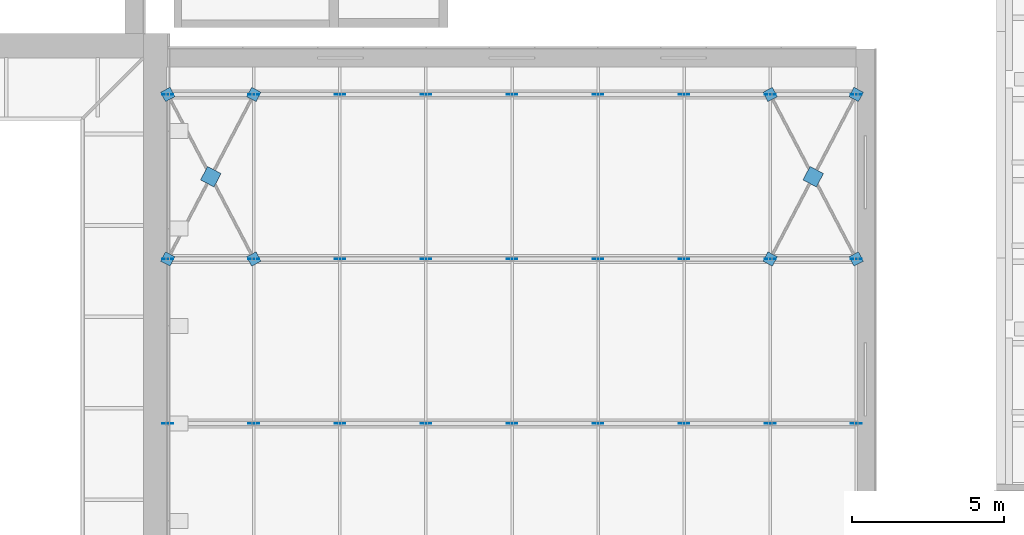
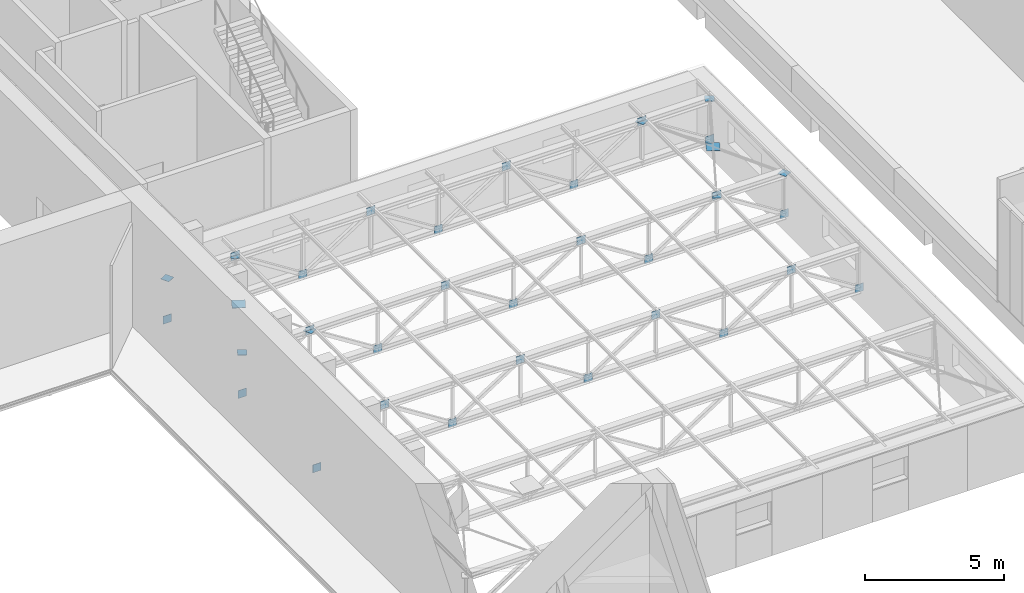
# One storey, part 97 of 132: 37 discrete accessories.
"""IFC4 building model written with IfcOpenShell, lengths in metres."""

from ifc_helpers import new_model, si_unit, direction, frame, origin, origin_2d, place, context, subcontext, project, spatial, rectangle, extrude, material, layer, layer_set, type_object, element, save


model = new_model("IFC4")

# Units and contexts
model_context = context("Model", 3, precision=1e-05, world=origin(), true_north=direction((0.0, 1.0)))
body_context = subcontext(model_context, "Body", "Model", "MODEL_VIEW")
ifc_project = project(units=[si_unit("LENGTHUNIT", "METRE"), si_unit("AREAUNIT", "SQUARE_METRE"), si_unit("VOLUMEUNIT", "CUBIC_METRE"), si_unit("PLANEANGLEUNIT", "RADIAN"), si_unit("MASSUNIT", "GRAM", prefix="KILO")], contexts=[model_context])

# Site, building, storey
site_placement = place(None, origin())
site = spatial("IfcSite", under=ifc_project, at=site_placement, CompositionType="ELEMENT")
building_placement = place(site_placement, origin())
building = spatial("IfcBuilding", under=site, at=building_placement, Name="Lunette Opera House", CompositionType="ELEMENT")
storey_placement = place(building_placement, frame((0.0, 0.0, 17.0)))
storey = spatial("IfcBuildingStorey", under=building, at=storey_placement, Name="L03", CompositionType="ELEMENT", Elevation=17.0)

# Discrete accessories
ifc_material_1 = material(Name="Steel S355", Category="steel")
ifc_layer_1 = layer(ifc_material_1, 0.011962890625)
ifc_layer_set_1 = layer_set([ifc_layer_1], Name="Steel S355")
discrete_accessory_type_1 = type_object("IfcDiscreteAccessoryType", Name="BRACE GUSSET PLATE 12", PredefinedType="USERDEFINED", material=ifc_layer_set_1)
for number, where, z_axis, x_axis, name in (
    (1, (108.800048828125, 108.0, 0.599853515625), (0.0, 0.0, 1.0), (1.0, 0.0, 0.0), "Gusset plate 117"),
    (2, (111.625, 108.0, 2.39990234375), (0.0, 0.0, 1.0), (1.0, 0.0, 0.0), "Gusset plate 118"),
    (3, (114.449951171875, 108.0, 0.599853515625), (0.0, 0.0, 1.0), (1.0, 0.0, 0.0), "Gusset plate 119"),
    (4, (117.27490234375, 108.0, 2.39990234375), (0.0, 0.0, 1.0), (1.0, 0.0, 0.0), "Gusset plate 120"),
    (5, (120.10009765625, 108.0, 0.599853515625), (0.0, 0.0, 1.0), (1.0, 0.0, 0.0), "Gusset plate 121"),
    (6, (122.925048828125, 108.0, 2.39990234375), (0.0, 0.0, 1.0), (1.0, 0.0, 0.0), "Gusset plate 122"),
    (7, (125.75, 108.0, 0.599853515625), (0.0, 0.0, 1.0), (1.0, 0.0, 0.0), "Gusset plate 123"),
    (8, (128.574951171875, 108.0, 2.39990234375), (0.0, 0.0, 1.0), (1.0, 0.0, 0.0), "Gusset plate 124"),
    (9, (131.39990234375, 108.0, 0.599853515625), (0.0, 0.0, 1.0), (1.0, 0.0, 0.0), "Gusset plate 125"),
    (10, (108.800048828125, 113.39990234375, 0.599853515625), (0.0, 0.0, 1.0), (1.0, 0.0, 0.0), "Gusset plate 126"),
    (11, (111.625, 113.39990234375, 2.39990234375), (0.0, 0.0, 1.0), (1.0, 0.0, 0.0), "Gusset plate 127"),
    (12, (114.449951171875, 113.39990234375, 0.599853515625), (0.0, 0.0, 1.0), (1.0, 0.0, 0.0), "Gusset plate 128"),
    (13, (117.27490234375, 113.39990234375, 2.39990234375), (0.0, 0.0, 1.0), (1.0, 0.0, 0.0), "Gusset plate 129"),
    (14, (120.10009765625, 113.39990234375, 0.599853515625), (0.0, 0.0, 1.0), (1.0, 0.0, 0.0), "Gusset plate 130"),
    (15, (122.925048828125, 113.39990234375, 2.39990234375), (0.0, 0.0, 1.0), (1.0, 0.0, 0.0), "Gusset plate 131"),
    (16, (125.75, 113.39990234375, 0.599853515625), (0.0, 0.0, 1.0), (1.0, 0.0, 0.0), "Gusset plate 132"),
    (17, (128.574951171875, 113.39990234375, 2.39990234375), (0.0, 0.0, 1.0), (1.0, 0.0, 0.0), "Gusset plate 133"),
    (18, (131.39990234375, 113.39990234375, 0.599853515625), (0.0, 0.0, 1.0), (1.0, 0.0, 0.0), "Gusset plate 134"),
    (19, (108.800048828125, 118.800048828125, 0.599853515625), (0.0, 0.0, 1.0), (1.0, 0.0, 0.0), "Gusset plate 135"),
    (20, (111.625, 118.800048828125, 2.39990234375), (0.0, 0.0, 1.0), (1.0, 0.0, 0.0), "Gusset plate 136"),
    (21, (114.449951171875, 118.800048828125, 0.599853515625), (0.0, 0.0, 1.0), (1.0, 0.0, 0.0), "Gusset plate 137"),
    (22, (117.27490234375, 118.800048828125, 2.39990234375), (0.0, 0.0, 1.0), (1.0, 0.0, 0.0), "Gusset plate 138"),
    (23, (120.10009765625, 118.800048828125, 0.599853515625), (0.0, 0.0, 1.0), (1.0, 0.0, 0.0), "Gusset plate 139"),
    (24, (122.925048828125, 118.800048828125, 2.39990234375), (0.0, 0.0, 1.0), (1.0, 0.0, 0.0), "Gusset plate 140"),
    (25, (125.75, 118.800048828125, 0.599853515625), (0.0, 0.0, 1.0), (1.0, 0.0, 0.0), "Gusset plate 141"),
    (26, (128.574951171875, 118.800048828125, 2.39990234375), (0.0, 0.0, 1.0), (1.0, 0.0, 0.0), "Gusset plate 142"),
    (27, (131.39990234375, 118.800048828125, 0.599853515625), (0.0, 0.0, 1.0), (1.0, 0.0, 0.0), "Gusset plate 143"),
):
    element("IfcDiscreteAccessory", number, at=place(storey_placement, frame(where, z_axis=z_axis, x_axis=x_axis)), inside=storey, type_object=discrete_accessory_type_1, Name=name, ObjectType="GUSSET PLATE", PredefinedType="USERDEFINED", context=body_context, shape_type="SweptSolid", body=[
        extrude(rectangle(XDim=0.35009765625, YDim=0.011962890625, at=origin_2d()), origin(), (0.0, 0.0, 1.0), 0.35009765625),
    ])
for number, where, z_axis, x_axis, name in (
    (28, (108.800048828125, 113.39990234375, 2.56884765625), (0.0, 0.0, 1.0), (0.463546584757, 0.886072549942, 0.0), "Gusset plate 148"),
    (29, (111.625, 118.800048828125, 2.56884765625), (0.0, 0.0, 1.0), (0.463546584757, 0.886072549942, 0.0), "Gusset plate 149"),
    (30, (128.574951171875, 113.39990234375, 2.56884765625), (0.0, 0.0, 1.0), (0.463546584757, 0.886072549942, 0.0), "Gusset plate 150"),
    (31, (131.39990234375, 118.800048828125, 2.56884765625), (0.0, 0.0, 1.0), (0.463546584757, 0.886072549942, 0.0), "Gusset plate 151"),
    (32, (111.625, 113.39990234375, 2.56884765625), (0.0, 0.0, 1.0), (-0.463418221361, 0.886139691082, 0.0), "Gusset plate 342"),
    (33, (108.800048828125, 118.800048828125, 2.56884765625), (0.0, 0.0, 1.0), (-0.463676484795, 0.886004580941, 0.0), "Gusset plate 343"),
    (34, (131.39990234375, 113.39990234375, 2.56884765625), (0.0, 0.0, 1.0), (-0.463418221361, 0.886139691082, 0.0), "Gusset plate 344"),
    (35, (128.574951171875, 118.800048828125, 2.56884765625), (0.0, 0.0, 1.0), (-0.463676484795, 0.886004580941, 0.0), "Gusset plate 345"),
):
    element("IfcDiscreteAccessory", number, at=place(storey_placement, frame(where, z_axis=z_axis, x_axis=x_axis)), inside=storey, type_object=discrete_accessory_type_1, Name=name, ObjectType="GUSSET PLATE", PredefinedType="USERDEFINED", context=body_context, shape_type="SweptSolid", body=[
        extrude(rectangle(XDim=0.35009765625, YDim=0.35009765625, at=origin_2d()), origin(), (0.0, 0.0, 1.0), 0.011962890625),
    ])
ifc_material_2 = material(Name="Steel S355", Category="steel")
ifc_layer_2 = layer(ifc_material_2, 0.01611328125)
ifc_layer_set_2 = layer_set([ifc_layer_2], Name="Steel S355")
discrete_accessory_type_2 = type_object("IfcDiscreteAccessoryType", Name="X-BRACE NODE PLATE 16", PredefinedType="USERDEFINED", material=ifc_layer_set_2)
for number, where, z_axis, x_axis, name in (
    (36, (110.212890625, 116.10009765625, 2.56689453125), (0.0, 0.0, 1.0), (0.463546584757, 0.886072549942, 0.0), "X-brace node plate 7"),
    (37, (129.988037109375, 116.10009765625, 2.56689453125), (0.0, 0.0, 1.0), (0.463546584757, 0.886072549942, 0.0), "X-brace node plate 8"),
):
    element("IfcDiscreteAccessory", number, at=place(storey_placement, frame(where, z_axis=z_axis, x_axis=x_axis)), inside=storey, type_object=discrete_accessory_type_2, Name=name, ObjectType="NODE PLATE", PredefinedType="USERDEFINED", context=body_context, shape_type="SweptSolid", body=[
        extrude(rectangle(XDim=0.5, YDim=0.5, at=origin_2d()), origin(), (0.0, 0.0, 1.0), 0.01611328125),
    ])

save(model, "model.ifc")
